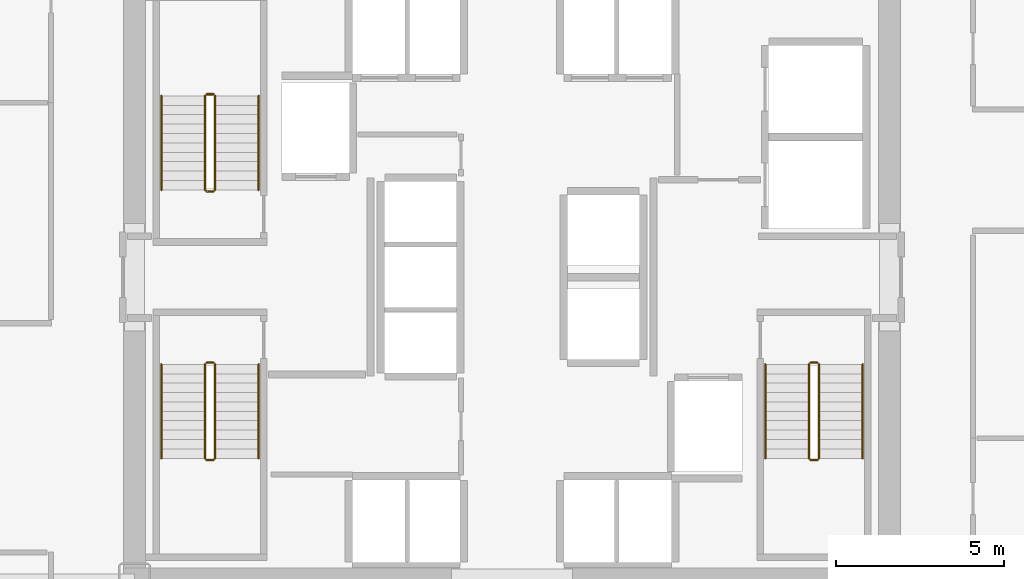
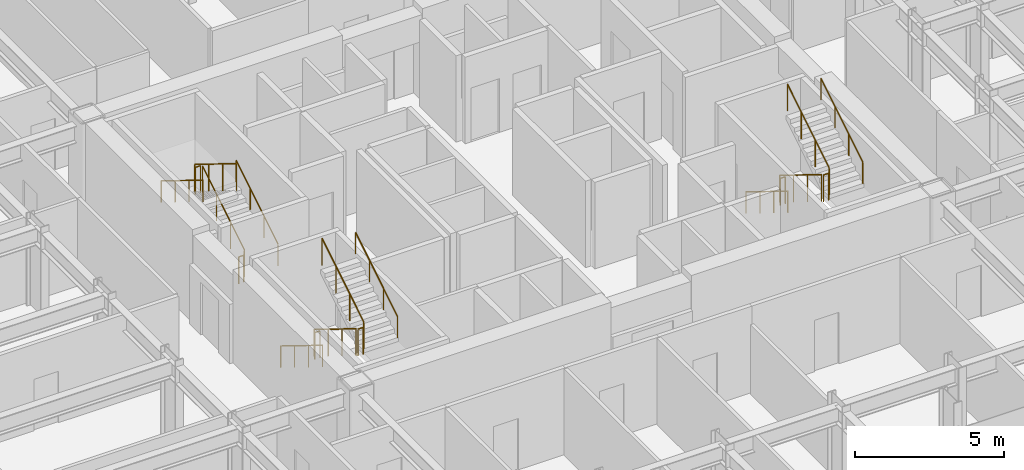
# One storey, part 29 of 30: 18 railings.
"""IFC4 building model written with IfcOpenShell, lengths in metres."""

from ifc_helpers import new_model, si_unit, direction, frame, origin, origin_2d, place, context, subcontext, project, spatial, circle, extrude, material, type_object, element, save


model = new_model("IFC4")

# Units and contexts
model_context = context("Model", 3, precision=1e-05, world=origin(), true_north=direction((0.0, 1.0)))
body_context = subcontext(model_context, "Body", "Model", "MODEL_VIEW")
ifc_project = project(units=[si_unit("LENGTHUNIT", "METRE"), si_unit("AREAUNIT", "SQUARE_METRE"), si_unit("VOLUMEUNIT", "CUBIC_METRE"), si_unit("PLANEANGLEUNIT", "RADIAN"), si_unit("MASSUNIT", "GRAM", prefix="KILO")], contexts=[model_context])

# Site, building, storey
site_placement = place(None, origin())
site = spatial("IfcSite", under=ifc_project, at=site_placement, CompositionType="ELEMENT")
building_placement = place(site_placement, origin())
building = spatial("IfcBuilding", under=site, at=building_placement, Name="Nefas-Gora Pilgrimage Tower", CompositionType="ELEMENT")
storey_placement = place(building_placement, frame((0.0, 0.0, 33.0)))
storey = spatial("IfcBuildingStorey", under=building, at=storey_placement, Name="L06", CompositionType="ELEMENT", Elevation=33.0)

# Railings
ifc_material_1 = material(Name="Painted galvanised steel", Category="steel")
railing_type_1 = type_object("IfcRailingType", Name="RLG-STR-GUARD-1100", PredefinedType="GUARDRAIL", material=ifc_material_1)
railing_1_placement = place(storey_placement, frame((-8.85009765625, 2.60009765625, 0.172607421875)))
element("IfcRailing", 1, at=railing_1_placement, inside=storey, type_object=railing_type_1, Name="L06 ST-01 stair guard 1", PredefinedType="GUARDRAIL", context=body_context, shape_type="SweptSolid", body=[
    extrude(circle(Radius=0.02392578125, at=origin_2d()), frame((0.0, 0.0, 1.09619140625), z_axis=(0.0, 0.851069175582, 0.525053576669), x_axis=(-1.0, 0.0, 0.0)), (0.0, 0.0, 1.0), 3.289794921875),
    extrude(circle(Radius=0.02099609375, at=origin_2d()), origin(), (0.0, 0.0, 1.0), 1.072021484375),
    extrude(circle(Radius=0.02099609375, at=origin_2d()), frame((0.0, 0.933349609375, 0.57568359375)), (0.0, 0.0, 1.0), 1.072021484375),
    extrude(circle(Radius=0.02099609375, at=origin_2d()), frame((0.0, 1.866455078125, 1.151611328125)), (0.0, 0.0, 1.0), 1.072021484375),
    extrude(circle(Radius=0.02099609375, at=origin_2d()), frame((0.0, 2.7998046875, 1.727294921875)), (0.0, 0.0, 1.0), 1.072021484375),
])
railing_2_placement = place(storey_placement, frame((-8.89990234375, 5.449951171875, 1.89990234375)))
element("IfcRailing", 2, at=railing_2_placement, inside=storey, type_object=railing_type_1, Name="L06 ST-01 stair guard 2", PredefinedType="GUARDRAIL", context=body_context, shape_type="SweptSolid", body=[
    extrude(circle(Radius=0.02392578125, at=origin_2d()), frame((0.0, 0.0, 1.09619140625), z_axis=(-1.0, 0.0, 0.0), x_axis=(0.0, -1.0, 0.0)), (0.0, 0.0, 1.0), 0.2001953125),
    extrude(circle(Radius=0.02099609375, at=origin_2d()), origin(), (0.0, 0.0, 1.0), 1.072021484375),
    extrude(circle(Radius=0.02099609375, at=origin_2d()), frame((-0.2001953125, 0.0, 0.0)), (0.0, 0.0, 1.0), 1.072021484375),
])
railing_3_placement = place(storey_placement, frame((-9.14990234375, 5.39990234375, 2.07275390625)))
element("IfcRailing", 3, at=railing_3_placement, inside=storey, type_object=railing_type_1, Name="L06 ST-01 stair guard 3", PredefinedType="GUARDRAIL", context=body_context, shape_type="SweptSolid", body=[
    extrude(circle(Radius=0.02392578125, at=origin_2d()), frame((0.0, 0.0, 1.09619140625), z_axis=(0.0, -0.851069175582, 0.525053576669), x_axis=(1.0, 0.0, 0.0)), (0.0, 0.0, 1.0), 3.289794921875),
    extrude(circle(Radius=0.02099609375, at=origin_2d()), origin(), (0.0, 0.0, 1.0), 1.072021484375),
    extrude(circle(Radius=0.02099609375, at=origin_2d()), frame((0.0, -0.933349609375, 0.57568359375)), (0.0, 0.0, 1.0), 1.072021484375),
    extrude(circle(Radius=0.02099609375, at=origin_2d()), frame((0.0, -1.866455078125, 1.151611328125)), (0.0, 0.0, 1.0), 1.072021484375),
    extrude(circle(Radius=0.02099609375, at=origin_2d()), frame((0.0, -2.7998046875, 1.727294921875)), (0.0, 0.0, 1.0), 1.072021484375),
])
railing_4_placement = place(storey_placement, frame((-8.89990234375, 2.550048828125, 0.0)))
element("IfcRailing", 4, at=railing_4_placement, inside=storey, type_object=railing_type_1, Name="L06 ST-01 stair guard 4", PredefinedType="GUARDRAIL", context=body_context, shape_type="SweptSolid", body=[
    extrude(circle(Radius=0.02392578125, at=origin_2d()), frame((0.0, 0.0, 1.09619140625), z_axis=(-1.0, 0.0, 0.0), x_axis=(0.0, -1.0, 0.0)), (0.0, 0.0, 1.0), 0.2001953125),
    extrude(circle(Radius=0.02099609375, at=origin_2d()), origin(), (0.0, 0.0, 1.0), 1.072021484375),
    extrude(circle(Radius=0.02099609375, at=origin_2d()), frame((-0.2001953125, 0.0, 0.0)), (0.0, 0.0, 1.0), 1.072021484375),
])
railing_5_placement = place(storey_placement, frame((8.85009765625, -2.60009765625, 0.172607421875)))
element("IfcRailing", 5, at=railing_5_placement, inside=storey, type_object=railing_type_1, Name="L06 ST-02 stair guard 1", PredefinedType="GUARDRAIL", context=body_context, shape_type="SweptSolid", body=[
    extrude(circle(Radius=0.02392578125, at=origin_2d()), frame((0.0, 0.0, 1.09619140625), z_axis=(0.0, -0.851069175582, 0.525053576669), x_axis=(1.0, 0.0, 0.0)), (0.0, 0.0, 1.0), 3.289794921875),
    extrude(circle(Radius=0.02099609375, at=origin_2d()), origin(), (0.0, 0.0, 1.0), 1.072021484375),
    extrude(circle(Radius=0.02099609375, at=origin_2d()), frame((0.0, -0.933349609375, 0.57568359375)), (0.0, 0.0, 1.0), 1.072021484375),
    extrude(circle(Radius=0.02099609375, at=origin_2d()), frame((0.0, -1.866455078125, 1.151611328125)), (0.0, 0.0, 1.0), 1.072021484375),
    extrude(circle(Radius=0.02099609375, at=origin_2d()), frame((0.0, -2.7998046875, 1.727294921875)), (0.0, 0.0, 1.0), 1.072021484375),
])
railing_6_placement = place(storey_placement, frame((8.89990234375, -5.449951171875, 1.89990234375)))
element("IfcRailing", 6, at=railing_6_placement, inside=storey, type_object=railing_type_1, Name="L06 ST-02 stair guard 2", PredefinedType="GUARDRAIL", context=body_context, shape_type="SweptSolid", body=[
    extrude(circle(Radius=0.02392578125, at=origin_2d()), frame((0.0, 0.0, 1.09619140625), z_axis=(1.0, 0.0, 0.0), x_axis=(0.0, 1.0, 0.0)), (0.0, 0.0, 1.0), 0.2001953125),
    extrude(circle(Radius=0.02099609375, at=origin_2d()), origin(), (0.0, 0.0, 1.0), 1.072021484375),
    extrude(circle(Radius=0.02099609375, at=origin_2d()), frame((0.2001953125, 0.0, 0.0)), (0.0, 0.0, 1.0), 1.072021484375),
])
railing_7_placement = place(storey_placement, frame((9.14990234375, -5.39990234375, 2.07275390625)))
element("IfcRailing", 7, at=railing_7_placement, inside=storey, type_object=railing_type_1, Name="L06 ST-02 stair guard 3", PredefinedType="GUARDRAIL", context=body_context, shape_type="SweptSolid", body=[
    extrude(circle(Radius=0.02392578125, at=origin_2d()), frame((0.0, 0.0, 1.09619140625), z_axis=(0.0, 0.851069175582, 0.525053576669), x_axis=(-1.0, 0.0, 0.0)), (0.0, 0.0, 1.0), 3.289794921875),
    extrude(circle(Radius=0.02099609375, at=origin_2d()), origin(), (0.0, 0.0, 1.0), 1.072021484375),
    extrude(circle(Radius=0.02099609375, at=origin_2d()), frame((0.0, 0.933349609375, 0.57568359375)), (0.0, 0.0, 1.0), 1.072021484375),
    extrude(circle(Radius=0.02099609375, at=origin_2d()), frame((0.0, 1.866455078125, 1.151611328125)), (0.0, 0.0, 1.0), 1.072021484375),
    extrude(circle(Radius=0.02099609375, at=origin_2d()), frame((0.0, 2.7998046875, 1.727294921875)), (0.0, 0.0, 1.0), 1.072021484375),
])
railing_8_placement = place(storey_placement, frame((8.89990234375, -2.550048828125, 0.0)))
element("IfcRailing", 8, at=railing_8_placement, inside=storey, type_object=railing_type_1, Name="L06 ST-02 stair guard 4", PredefinedType="GUARDRAIL", context=body_context, shape_type="SweptSolid", body=[
    extrude(circle(Radius=0.02392578125, at=origin_2d()), frame((0.0, 0.0, 1.09619140625), z_axis=(1.0, 0.0, 0.0), x_axis=(0.0, 1.0, 0.0)), (0.0, 0.0, 1.0), 0.2001953125),
    extrude(circle(Radius=0.02099609375, at=origin_2d()), origin(), (0.0, 0.0, 1.0), 1.072021484375),
    extrude(circle(Radius=0.02099609375, at=origin_2d()), frame((0.2001953125, 0.0, 0.0)), (0.0, 0.0, 1.0), 1.072021484375),
])
railing_9_placement = place(storey_placement, frame((-9.14990234375, -2.60009765625, 0.172607421875)))
element("IfcRailing", 9, at=railing_9_placement, inside=storey, type_object=railing_type_1, Name="L06 ST-03 stair guard 1", PredefinedType="GUARDRAIL", context=body_context, shape_type="SweptSolid", body=[
    extrude(circle(Radius=0.02392578125, at=origin_2d()), frame((0.0, 0.0, 1.09619140625), z_axis=(0.0, -0.851069175582, 0.525053576669), x_axis=(1.0, 0.0, 0.0)), (0.0, 0.0, 1.0), 3.289794921875),
    extrude(circle(Radius=0.02099609375, at=origin_2d()), origin(), (0.0, 0.0, 1.0), 1.072021484375),
    extrude(circle(Radius=0.02099609375, at=origin_2d()), frame((0.0, -0.933349609375, 0.57568359375)), (0.0, 0.0, 1.0), 1.072021484375),
    extrude(circle(Radius=0.02099609375, at=origin_2d()), frame((0.0, -1.866455078125, 1.151611328125)), (0.0, 0.0, 1.0), 1.072021484375),
    extrude(circle(Radius=0.02099609375, at=origin_2d()), frame((0.0, -2.7998046875, 1.727294921875)), (0.0, 0.0, 1.0), 1.072021484375),
])
railing_10_placement = place(storey_placement, frame((-9.10009765625, -5.449951171875, 1.89990234375)))
element("IfcRailing", 10, at=railing_10_placement, inside=storey, type_object=railing_type_1, Name="L06 ST-03 stair guard 2", PredefinedType="GUARDRAIL", context=body_context, shape_type="SweptSolid", body=[
    extrude(circle(Radius=0.02392578125, at=origin_2d()), frame((0.0, 0.0, 1.09619140625), z_axis=(1.0, 0.0, 0.0), x_axis=(0.0, 1.0, 0.0)), (0.0, 0.0, 1.0), 0.2001953125),
    extrude(circle(Radius=0.02099609375, at=origin_2d()), origin(), (0.0, 0.0, 1.0), 1.072021484375),
    extrude(circle(Radius=0.02099609375, at=origin_2d()), frame((0.2001953125, 0.0, 0.0)), (0.0, 0.0, 1.0), 1.072021484375),
])
railing_11_placement = place(storey_placement, frame((-8.85009765625, -5.39990234375, 2.07275390625)))
element("IfcRailing", 11, at=railing_11_placement, inside=storey, type_object=railing_type_1, Name="L06 ST-03 stair guard 3", PredefinedType="GUARDRAIL", context=body_context, shape_type="SweptSolid", body=[
    extrude(circle(Radius=0.02392578125, at=origin_2d()), frame((0.0, 0.0, 1.09619140625), z_axis=(0.0, 0.851069175582, 0.525053576669), x_axis=(-1.0, 0.0, 0.0)), (0.0, 0.0, 1.0), 3.289794921875),
    extrude(circle(Radius=0.02099609375, at=origin_2d()), origin(), (0.0, 0.0, 1.0), 1.072021484375),
    extrude(circle(Radius=0.02099609375, at=origin_2d()), frame((0.0, 0.933349609375, 0.57568359375)), (0.0, 0.0, 1.0), 1.072021484375),
    extrude(circle(Radius=0.02099609375, at=origin_2d()), frame((0.0, 1.866455078125, 1.151611328125)), (0.0, 0.0, 1.0), 1.072021484375),
    extrude(circle(Radius=0.02099609375, at=origin_2d()), frame((0.0, 2.7998046875, 1.727294921875)), (0.0, 0.0, 1.0), 1.072021484375),
])
railing_12_placement = place(storey_placement, frame((-9.10009765625, -2.550048828125, 0.0)))
element("IfcRailing", 12, at=railing_12_placement, inside=storey, type_object=railing_type_1, Name="L06 ST-03 stair guard 4", PredefinedType="GUARDRAIL", context=body_context, shape_type="SweptSolid", body=[
    extrude(circle(Radius=0.02392578125, at=origin_2d()), frame((0.0, 0.0, 1.09619140625), z_axis=(1.0, 0.0, 0.0), x_axis=(0.0, 1.0, 0.0)), (0.0, 0.0, 1.0), 0.2001953125),
    extrude(circle(Radius=0.02099609375, at=origin_2d()), origin(), (0.0, 0.0, 1.0), 1.072021484375),
    extrude(circle(Radius=0.02099609375, at=origin_2d()), frame((0.2001953125, 0.0, 0.0)), (0.0, 0.0, 1.0), 1.072021484375),
])
ifc_material_2 = material(Name="Brushed stainless steel", Category="steel")
railing_type_2 = type_object("IfcRailingType", Name="RLG-STR-HAND-900", PredefinedType="HANDRAIL", material=ifc_material_2)
railing_13_placement = place(storey_placement, frame((-7.550048828125, 2.60009765625, 0.172607421875)))
element("IfcRailing", 13, at=railing_13_placement, inside=storey, type_object=railing_type_2, Name="L06 ST-01 stair handrail 1", PredefinedType="HANDRAIL", context=body_context, shape_type="SweptSolid", body=[
    extrude(circle(Radius=0.02392578125, at=origin_2d()), frame((0.0, 0.0, 0.8759765625), z_axis=(0.0, 0.851069175582, 0.525053576669), x_axis=(-1.0, 0.0, 0.0)), (0.0, 0.0, 1.0), 3.289794921875),
    extrude(circle(Radius=0.02099609375, at=origin_2d()), origin(), (0.0, 0.0, 1.0), 0.851806640625),
    extrude(circle(Radius=0.02099609375, at=origin_2d()), frame((0.0, 0.933349609375, 0.57568359375)), (0.0, 0.0, 1.0), 0.851806640625),
    extrude(circle(Radius=0.02099609375, at=origin_2d()), frame((0.0, 1.866455078125, 1.151611328125)), (0.0, 0.0, 1.0), 0.851806640625),
    extrude(circle(Radius=0.02099609375, at=origin_2d()), frame((0.0, 2.7998046875, 1.727294921875)), (0.0, 0.0, 1.0), 0.851806640625),
])
for number, where, name in (
    (14, (-10.449951171875, 5.39990234375, 2.07275390625), "L06 ST-01 stair handrail 2"),
    (15, (7.550048828125, -2.60009765625, 0.172607421875), "L06 ST-02 stair handrail 1"),
):
    element("IfcRailing", number, at=place(storey_placement, frame(where)), inside=storey, type_object=railing_type_2, Name=name, PredefinedType="HANDRAIL", context=body_context, shape_type="SweptSolid", body=[
        extrude(circle(Radius=0.02392578125, at=origin_2d()), frame((0.0, 0.0, 0.8759765625), z_axis=(0.0, -0.851069175582, 0.525053576669), x_axis=(1.0, 0.0, 0.0)), (0.0, 0.0, 1.0), 3.289794921875),
        extrude(circle(Radius=0.02099609375, at=origin_2d()), origin(), (0.0, 0.0, 1.0), 0.851806640625),
        extrude(circle(Radius=0.02099609375, at=origin_2d()), frame((0.0, -0.933349609375, 0.57568359375)), (0.0, 0.0, 1.0), 0.851806640625),
        extrude(circle(Radius=0.02099609375, at=origin_2d()), frame((0.0, -1.866455078125, 1.151611328125)), (0.0, 0.0, 1.0), 0.851806640625),
        extrude(circle(Radius=0.02099609375, at=origin_2d()), frame((0.0, -2.7998046875, 1.727294921875)), (0.0, 0.0, 1.0), 0.851806640625),
    ])
railing_14_placement = place(storey_placement, frame((10.449951171875, -5.39990234375, 2.07275390625)))
element("IfcRailing", 16, at=railing_14_placement, inside=storey, type_object=railing_type_2, Name="L06 ST-02 stair handrail 2", PredefinedType="HANDRAIL", context=body_context, shape_type="SweptSolid", body=[
    extrude(circle(Radius=0.02392578125, at=origin_2d()), frame((0.0, 0.0, 0.8759765625), z_axis=(0.0, 0.851069175582, 0.525053576669), x_axis=(-1.0, 0.0, 0.0)), (0.0, 0.0, 1.0), 3.289794921875),
    extrude(circle(Radius=0.02099609375, at=origin_2d()), origin(), (0.0, 0.0, 1.0), 0.851806640625),
    extrude(circle(Radius=0.02099609375, at=origin_2d()), frame((0.0, 0.933349609375, 0.57568359375)), (0.0, 0.0, 1.0), 0.851806640625),
    extrude(circle(Radius=0.02099609375, at=origin_2d()), frame((0.0, 1.866455078125, 1.151611328125)), (0.0, 0.0, 1.0), 0.851806640625),
    extrude(circle(Radius=0.02099609375, at=origin_2d()), frame((0.0, 2.7998046875, 1.727294921875)), (0.0, 0.0, 1.0), 0.851806640625),
])
railing_15_placement = place(storey_placement, frame((-10.449951171875, -2.60009765625, 0.172607421875)))
element("IfcRailing", 17, at=railing_15_placement, inside=storey, type_object=railing_type_2, Name="L06 ST-03 stair handrail 1", PredefinedType="HANDRAIL", context=body_context, shape_type="SweptSolid", body=[
    extrude(circle(Radius=0.02392578125, at=origin_2d()), frame((0.0, 0.0, 0.8759765625), z_axis=(0.0, -0.851069175582, 0.525053576669), x_axis=(1.0, 0.0, 0.0)), (0.0, 0.0, 1.0), 3.289794921875),
    extrude(circle(Radius=0.02099609375, at=origin_2d()), origin(), (0.0, 0.0, 1.0), 0.851806640625),
    extrude(circle(Radius=0.02099609375, at=origin_2d()), frame((0.0, -0.933349609375, 0.57568359375)), (0.0, 0.0, 1.0), 0.851806640625),
    extrude(circle(Radius=0.02099609375, at=origin_2d()), frame((0.0, -1.866455078125, 1.151611328125)), (0.0, 0.0, 1.0), 0.851806640625),
    extrude(circle(Radius=0.02099609375, at=origin_2d()), frame((0.0, -2.7998046875, 1.727294921875)), (0.0, 0.0, 1.0), 0.851806640625),
])
railing_16_placement = place(storey_placement, frame((-7.550048828125, -5.39990234375, 2.07275390625)))
element("IfcRailing", 18, at=railing_16_placement, inside=storey, type_object=railing_type_2, Name="L06 ST-03 stair handrail 2", PredefinedType="HANDRAIL", context=body_context, shape_type="SweptSolid", body=[
    extrude(circle(Radius=0.02392578125, at=origin_2d()), frame((0.0, 0.0, 0.8759765625), z_axis=(0.0, 0.851069175582, 0.525053576669), x_axis=(-1.0, 0.0, 0.0)), (0.0, 0.0, 1.0), 3.289794921875),
    extrude(circle(Radius=0.02099609375, at=origin_2d()), origin(), (0.0, 0.0, 1.0), 0.851806640625),
    extrude(circle(Radius=0.02099609375, at=origin_2d()), frame((0.0, 0.933349609375, 0.57568359375)), (0.0, 0.0, 1.0), 0.851806640625),
    extrude(circle(Radius=0.02099609375, at=origin_2d()), frame((0.0, 1.866455078125, 1.151611328125)), (0.0, 0.0, 1.0), 0.851806640625),
    extrude(circle(Radius=0.02099609375, at=origin_2d()), frame((0.0, 2.7998046875, 1.727294921875)), (0.0, 0.0, 1.0), 0.851806640625),
])

save(model, "model.ifc")
